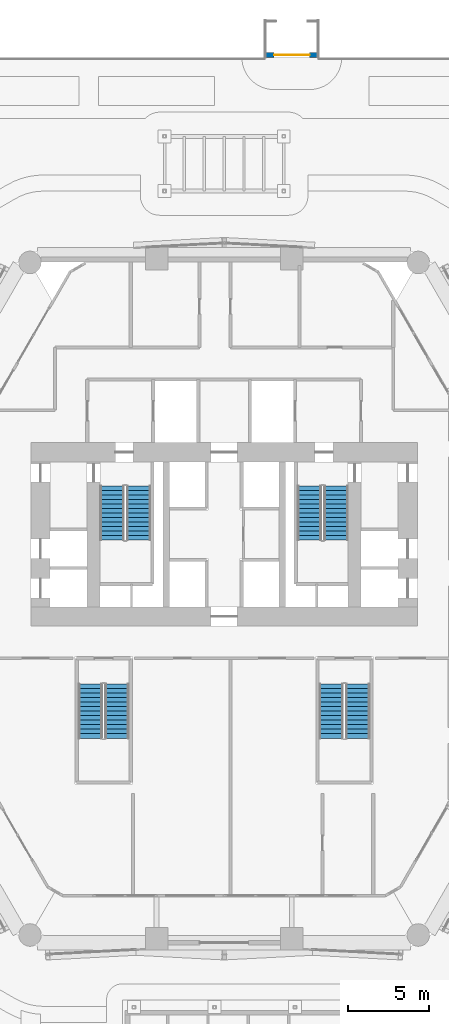
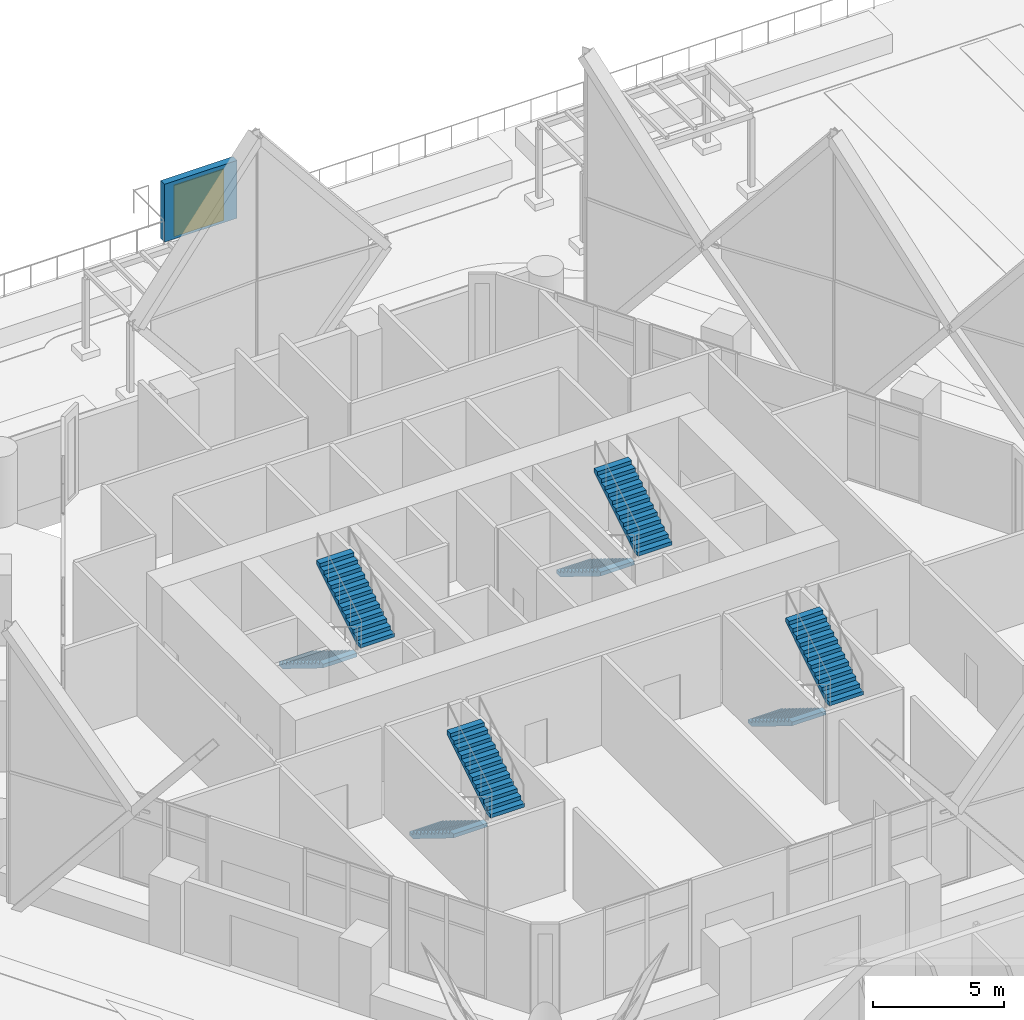
# One storey, part 57 of 71: 8 stair flights, 1 door, 1 wall, 1 opening, 4 elements without a shape of their own.
"""IFC4 building model written with IfcOpenShell, lengths in metres."""

from ifc_helpers import new_model, si_unit, direction, frame, frame_2d, origin, place, context, subcontext, project, spatial, polyline, rectangle, outline, extrude, material, layer, layer_set, type_object, element, fill, aggregate, save


model = new_model("IFC4")

# Units and contexts
model_context = context("Model", 3, precision=1e-05, world=origin(), true_north=direction((0.0, 1.0)))
body_context = subcontext(model_context, "Body", "Model", "MODEL_VIEW")
ifc_project = project(units=[si_unit("LENGTHUNIT", "METRE"), si_unit("AREAUNIT", "SQUARE_METRE"), si_unit("VOLUMEUNIT", "CUBIC_METRE"), si_unit("PLANEANGLEUNIT", "RADIAN"), si_unit("MASSUNIT", "GRAM", prefix="KILO")], contexts=[model_context])

# Site, building, storey
site_placement = place(None, origin())
site = spatial("IfcSite", under=ifc_project, at=site_placement, CompositionType="ELEMENT")
building_placement = place(site_placement, origin())
building = spatial("IfcBuilding", under=site, at=building_placement, Name="Ostrander Bayou Hotel Tower", CompositionType="ELEMENT")
storey_placement = place(building_placement, frame((0.0, 0.0, 10.0)))
storey = spatial("IfcBuildingStorey", under=building, at=storey_placement, Name="L02", CompositionType="ELEMENT", Elevation=10.0)

# Wall, opening, door
ifc_material_1 = material(Name="Reconstituted stone on masonry backing", Category="masonry")
ifc_layer = layer(ifc_material_1, 0.300048828125)
ifc_layer_set = layer_set([ifc_layer], Name="NW1 north stone wall 300 mm")
wall_type = type_object("IfcWallType", Name="NW1 north stone wall 300 mm", PredefinedType="SOLIDWALL", material=ifc_layer_set)
wall_placement = place(storey_placement, frame((5.800048828125, 33.75, 0.0), z_axis=(0.0, 0.0, 1.0), x_axis=(-1.0, 0.0, 0.0)))
wall = element("IfcWall", 1, at=wall_placement, inside=storey, type_object=wall_type, Name="NW1 garden gate wall N", PredefinedType="SOLIDWALL", context=body_context, shape_type="SweptSolid", body=[
    extrude(rectangle(XDim=3.199951171875, YDim=0.300048828125, at=frame_2d((1.60009765625, 0.0))), origin(), (0.0, 0.0, 1.0), 2.699951171875),
])
opening_placement = place(wall_placement, frame((0.5, 0.0, 0.0)))
opening = element("IfcOpeningElement", 2, at=opening_placement, cuts=wall, Name="Opening T02-816", PredefinedType="OPENING", context=body_context, shape_type="SweptSolid", body=[
    extrude(rectangle(XDim=2.199951171875, YDim=2.39990234375, at=frame_2d((1.10009765625, 1.199951171875))), frame((0.0, 0.14990234375, 0.0), z_axis=(0.0, -1.0, 0.0), x_axis=(1.0, 0.0, 0.0)), (0.0, 0.0, 1.0), 0.300048828125),
])
ifc_material_2 = material(Name="Aluminium and clear glass", Category="aluminium")
door_type = type_object("IfcDoorType", Name="GD1 garden gate 2200 mm", OperationType="DOUBLE_DOOR_SINGLE_SWING", PredefinedType="DOOR", material=ifc_material_2)
door_placement = place(opening_placement, origin())
door = element("IfcDoor", 3, at=door_placement, inside=storey, type_object=door_type, Name="GD1 garden gate N", OperationType="DOUBLE_DOOR_SINGLE_SWING", OverallHeight=2.39990234375, OverallWidth=2.199951171875, PredefinedType="DOOR", context=body_context, shape_type="SweptSolid", body=[
    extrude(rectangle(XDim=2.199951171875, YDim=2.39990234375, at=frame_2d((1.10009765625, 1.199951171875))), frame((0.0, 0.02490234375, 0.0), z_axis=(0.0, -1.0, 0.0), x_axis=(1.0, 0.0, 0.0)), (0.0, 0.0, 1.0), 0.050048828125),
])
fill(opening, door)

# Stair, stair flights
ifc_material_3 = material(Name="Concrete f'c 45 MPa", Category="concrete")
stair_type = type_object("IfcStairType", Name="ST1 exit stair 1500 mm f'c 45 MPa", PredefinedType="HALF_TURN_STAIR", material=ifc_material_3)
stair_1_placement = place(storey_placement, origin())
stair_1 = element("IfcStair", 4, at=stair_1_placement, inside=storey, type_object=stair_type, Name="L02 exit stair A", PredefinedType="HALF_TURN_STAIR")
ifc_material_4 = material(Name="Concrete f'c 45 MPa", Category="concrete")
stair_flight_type = type_object("IfcStairFlightType", Name="SF1 stair flight 1500 mm f'c 45 MPa", PredefinedType="STRAIGHT", material=ifc_material_4)
stair_flight_1_placement = place(storey_placement, frame((-6.949951171875, 7.0, 0.0), z_axis=(0.0, 0.0, 1.0), x_axis=(0.0, -1.0, 0.0)))
stair_flight_1 = element("IfcStairFlight", 5, at=stair_flight_1_placement, type_object=stair_flight_type, Name="STA flight 1", NumberOfRisers=13, NumberOfTreads=12, PredefinedType="STRAIGHT", RiserHeight=0.173076923, TreadLength=0.28, context=body_context, shape_type="SweptSolid", body=[
    extrude(outline(polyline([(0.0, 0.0), (0.0, 0.173095703125), (0.280029296875, 0.173095703125), (0.280029296875, 0.34619140625), (0.56005859375, 0.34619140625), (0.56005859375, 0.519287109375), (0.840087890625, 0.519287109375), (0.840087890625, 0.6923828125), (1.1201171875, 0.6923828125), (1.1201171875, 0.865478515625), (1.39990234375, 0.865478515625), (1.39990234375, 1.03857421875), (1.679931640625, 1.03857421875), (1.679931640625, 1.21142578125), (1.9599609375, 1.21142578125), (1.9599609375, 1.384521484375), (2.239990234375, 1.384521484375), (2.239990234375, 1.5576171875), (2.52001953125, 1.5576171875), (2.52001953125, 1.730712890625), (2.800048828125, 1.730712890625), (2.800048828125, 1.90380859375), (3.080078125, 1.90380859375), (3.080078125, 2.076904296875), (3.360107421875, 2.076904296875), (3.360107421875, 2.25), (3.360107421875, 1.900634765625), (0.28515625, 0.0), (0.0, 0.0)])), frame((0.0, 0.75, 0.0), z_axis=(0.0, -1.0, 0.0), x_axis=(1.0, 0.0, 0.0)), (0.0, 0.0, 1.0), 1.5),
])
stair_flight_2_placement = place(storey_placement, frame((-5.300048828125, 3.639892578125, 2.25), z_axis=(0.0, 0.0, 1.0), x_axis=(0.0, 1.0, 0.0)))
stair_flight_2 = element("IfcStairFlight", 6, at=stair_flight_2_placement, type_object=stair_flight_type, Name="STA flight 2", NumberOfRisers=13, NumberOfTreads=12, PredefinedType="STRAIGHT", RiserHeight=0.173076923, TreadLength=0.28, context=body_context, shape_type="SweptSolid", body=[
    extrude(outline(polyline([(0.0, 0.0), (0.0, 0.173095703125), (0.280029296875, 0.173095703125), (0.280029296875, 0.34619140625), (0.56005859375, 0.34619140625), (0.56005859375, 0.519287109375), (0.840087890625, 0.519287109375), (0.840087890625, 0.6923828125), (1.1201171875, 0.6923828125), (1.1201171875, 0.865478515625), (1.39990234375, 0.865478515625), (1.39990234375, 1.03857421875), (1.679931640625, 1.03857421875), (1.679931640625, 1.21142578125), (1.9599609375, 1.21142578125), (1.9599609375, 1.384521484375), (2.239990234375, 1.384521484375), (2.239990234375, 1.5576171875), (2.52001953125, 1.5576171875), (2.52001953125, 1.730712890625), (2.800048828125, 1.730712890625), (2.800048828125, 1.90380859375), (3.080078125, 1.90380859375), (3.080078125, 2.076904296875), (3.360107421875, 2.076904296875), (3.360107421875, 2.25), (3.360107421875, 1.900634765625), (0.28515625, 0.0), (0.0, 0.0)])), frame((0.0, 0.75, 0.0), z_axis=(0.0, -1.0, 0.0), x_axis=(1.0, 0.0, 0.0)), (0.0, 0.0, 1.0), 1.5),
])
aggregate(stair_1, [stair_flight_1, stair_flight_2])

stair_2_placement = place(storey_placement, origin())
stair_2 = element("IfcStair", 7, at=stair_2_placement, inside=storey, type_object=stair_type, Name="L02 exit stair B", PredefinedType="HALF_TURN_STAIR")
stair_flight_3_placement = place(storey_placement, frame((5.300048828125, 7.0, 0.0), z_axis=(0.0, 0.0, 1.0), x_axis=(0.0, -1.0, 0.0)))
stair_flight_3 = element("IfcStairFlight", 8, at=stair_flight_3_placement, type_object=stair_flight_type, Name="STB flight 1", NumberOfRisers=13, NumberOfTreads=12, PredefinedType="STRAIGHT", RiserHeight=0.173076923, TreadLength=0.28, context=body_context, shape_type="SweptSolid", body=[
    extrude(outline(polyline([(0.0, 0.0), (0.0, 0.173095703125), (0.280029296875, 0.173095703125), (0.280029296875, 0.34619140625), (0.56005859375, 0.34619140625), (0.56005859375, 0.519287109375), (0.840087890625, 0.519287109375), (0.840087890625, 0.6923828125), (1.1201171875, 0.6923828125), (1.1201171875, 0.865478515625), (1.39990234375, 0.865478515625), (1.39990234375, 1.03857421875), (1.679931640625, 1.03857421875), (1.679931640625, 1.21142578125), (1.9599609375, 1.21142578125), (1.9599609375, 1.384521484375), (2.239990234375, 1.384521484375), (2.239990234375, 1.5576171875), (2.52001953125, 1.5576171875), (2.52001953125, 1.730712890625), (2.800048828125, 1.730712890625), (2.800048828125, 1.90380859375), (3.080078125, 1.90380859375), (3.080078125, 2.076904296875), (3.360107421875, 2.076904296875), (3.360107421875, 2.25), (3.360107421875, 1.900634765625), (0.28515625, 0.0), (0.0, 0.0)])), frame((0.0, 0.75, 0.0), z_axis=(0.0, -1.0, 0.0), x_axis=(1.0, 0.0, 0.0)), (0.0, 0.0, 1.0), 1.5),
])
stair_flight_4_placement = place(storey_placement, frame((6.949951171875, 3.639892578125, 2.25), z_axis=(0.0, 0.0, 1.0), x_axis=(0.0, 1.0, 0.0)))
stair_flight_4 = element("IfcStairFlight", 9, at=stair_flight_4_placement, type_object=stair_flight_type, Name="STB flight 2", NumberOfRisers=13, NumberOfTreads=12, PredefinedType="STRAIGHT", RiserHeight=0.173076923, TreadLength=0.28, context=body_context, shape_type="SweptSolid", body=[
    extrude(outline(polyline([(0.0, 0.0), (0.0, 0.173095703125), (0.280029296875, 0.173095703125), (0.280029296875, 0.34619140625), (0.56005859375, 0.34619140625), (0.56005859375, 0.519287109375), (0.840087890625, 0.519287109375), (0.840087890625, 0.6923828125), (1.1201171875, 0.6923828125), (1.1201171875, 0.865478515625), (1.39990234375, 0.865478515625), (1.39990234375, 1.03857421875), (1.679931640625, 1.03857421875), (1.679931640625, 1.21142578125), (1.9599609375, 1.21142578125), (1.9599609375, 1.384521484375), (2.239990234375, 1.384521484375), (2.239990234375, 1.5576171875), (2.52001953125, 1.5576171875), (2.52001953125, 1.730712890625), (2.800048828125, 1.730712890625), (2.800048828125, 1.90380859375), (3.080078125, 1.90380859375), (3.080078125, 2.076904296875), (3.360107421875, 2.076904296875), (3.360107421875, 2.25), (3.360107421875, 1.900634765625), (0.28515625, 0.0), (0.0, 0.0)])), frame((0.0, 0.75, 0.0), z_axis=(0.0, -1.0, 0.0), x_axis=(1.0, 0.0, 0.0)), (0.0, 0.0, 1.0), 1.5),
])
aggregate(stair_2, [stair_flight_3, stair_flight_4])

stair_3_placement = place(storey_placement, origin())
stair_3 = element("IfcStair", 10, at=stair_3_placement, inside=storey, type_object=stair_type, Name="L02 exit stair C", PredefinedType="HALF_TURN_STAIR")
stair_flight_5_placement = place(storey_placement, frame((6.64990234375, -5.300048828125, 0.0), z_axis=(0.0, 0.0, 1.0), x_axis=(0.0, -1.0, 0.0)))
stair_flight_5 = element("IfcStairFlight", 11, at=stair_flight_5_placement, type_object=stair_flight_type, Name="STC flight 1", NumberOfRisers=13, NumberOfTreads=12, PredefinedType="STRAIGHT", RiserHeight=0.173076923, TreadLength=0.28, context=body_context, shape_type="SweptSolid", body=[
    extrude(outline(polyline([(0.0, 0.0), (0.0, 0.173095703125), (0.280029296875, 0.173095703125), (0.280029296875, 0.34619140625), (0.56005859375, 0.34619140625), (0.56005859375, 0.519287109375), (0.840087890625, 0.519287109375), (0.840087890625, 0.6923828125), (1.1201171875, 0.6923828125), (1.1201171875, 0.865478515625), (1.39990234375, 0.865478515625), (1.39990234375, 1.03857421875), (1.679931640625, 1.03857421875), (1.679931640625, 1.21142578125), (1.9599609375, 1.21142578125), (1.9599609375, 1.384521484375), (2.239990234375, 1.384521484375), (2.239990234375, 1.5576171875), (2.52001953125, 1.5576171875), (2.52001953125, 1.730712890625), (2.800048828125, 1.730712890625), (2.800048828125, 1.90380859375), (3.080078125, 1.90380859375), (3.080078125, 2.076904296875), (3.360107421875, 2.076904296875), (3.360107421875, 2.25), (3.360107421875, 1.900634765625), (0.28515625, 0.0), (0.0, 0.0)])), frame((0.0, 0.75, 0.0), z_axis=(0.0, -1.0, 0.0), x_axis=(1.0, 0.0, 0.0)), (0.0, 0.0, 1.0), 1.5),
])
stair_flight_6_placement = place(storey_placement, frame((8.300048828125, -8.659912109375, 2.25), z_axis=(0.0, 0.0, 1.0), x_axis=(0.0, 1.0, 0.0)))
stair_flight_6 = element("IfcStairFlight", 12, at=stair_flight_6_placement, type_object=stair_flight_type, Name="STC flight 2", NumberOfRisers=13, NumberOfTreads=12, PredefinedType="STRAIGHT", RiserHeight=0.173076923, TreadLength=0.28, context=body_context, shape_type="SweptSolid", body=[
    extrude(outline(polyline([(0.0, 0.0), (0.0, 0.173095703125), (0.280029296875, 0.173095703125), (0.280029296875, 0.34619140625), (0.56005859375, 0.34619140625), (0.56005859375, 0.519287109375), (0.840087890625, 0.519287109375), (0.840087890625, 0.6923828125), (1.1201171875, 0.6923828125), (1.1201171875, 0.865478515625), (1.39990234375, 0.865478515625), (1.39990234375, 1.03857421875), (1.679931640625, 1.03857421875), (1.679931640625, 1.21142578125), (1.9599609375, 1.21142578125), (1.9599609375, 1.384521484375), (2.239990234375, 1.384521484375), (2.239990234375, 1.5576171875), (2.52001953125, 1.5576171875), (2.52001953125, 1.730712890625), (2.800048828125, 1.730712890625), (2.800048828125, 1.90380859375), (3.080078125, 1.90380859375), (3.080078125, 2.076904296875), (3.360107421875, 2.076904296875), (3.360107421875, 2.25), (3.360107421875, 1.900634765625), (0.28515625, 0.0), (0.0, 0.0)])), frame((0.0, 0.75, 0.0), z_axis=(0.0, -1.0, 0.0), x_axis=(1.0, 0.0, 0.0)), (0.0, 0.0, 1.0), 1.5),
])
aggregate(stair_3, [stair_flight_5, stair_flight_6])

stair_4_placement = place(storey_placement, origin())
stair_4 = element("IfcStair", 13, at=stair_4_placement, inside=storey, type_object=stair_type, Name="L02 exit stair D", PredefinedType="HALF_TURN_STAIR")
stair_flight_7_placement = place(storey_placement, frame((-8.300048828125, -5.300048828125, 0.0), z_axis=(0.0, 0.0, 1.0), x_axis=(0.0, -1.0, 0.0)))
stair_flight_7 = element("IfcStairFlight", 14, at=stair_flight_7_placement, type_object=stair_flight_type, Name="STD flight 1", NumberOfRisers=13, NumberOfTreads=12, PredefinedType="STRAIGHT", RiserHeight=0.173076923, TreadLength=0.28, context=body_context, shape_type="SweptSolid", body=[
    extrude(outline(polyline([(0.0, 0.0), (0.0, 0.173095703125), (0.280029296875, 0.173095703125), (0.280029296875, 0.34619140625), (0.56005859375, 0.34619140625), (0.56005859375, 0.519287109375), (0.840087890625, 0.519287109375), (0.840087890625, 0.6923828125), (1.1201171875, 0.6923828125), (1.1201171875, 0.865478515625), (1.39990234375, 0.865478515625), (1.39990234375, 1.03857421875), (1.679931640625, 1.03857421875), (1.679931640625, 1.21142578125), (1.9599609375, 1.21142578125), (1.9599609375, 1.384521484375), (2.239990234375, 1.384521484375), (2.239990234375, 1.5576171875), (2.52001953125, 1.5576171875), (2.52001953125, 1.730712890625), (2.800048828125, 1.730712890625), (2.800048828125, 1.90380859375), (3.080078125, 1.90380859375), (3.080078125, 2.076904296875), (3.360107421875, 2.076904296875), (3.360107421875, 2.25), (3.360107421875, 1.900634765625), (0.28515625, 0.0), (0.0, 0.0)])), frame((0.0, 0.75, 0.0), z_axis=(0.0, -1.0, 0.0), x_axis=(1.0, 0.0, 0.0)), (0.0, 0.0, 1.0), 1.5),
])
stair_flight_8_placement = place(storey_placement, frame((-6.64990234375, -8.659912109375, 2.25), z_axis=(0.0, 0.0, 1.0), x_axis=(0.0, 1.0, 0.0)))
stair_flight_8 = element("IfcStairFlight", 15, at=stair_flight_8_placement, type_object=stair_flight_type, Name="STD flight 2", NumberOfRisers=13, NumberOfTreads=12, PredefinedType="STRAIGHT", RiserHeight=0.173076923, TreadLength=0.28, context=body_context, shape_type="SweptSolid", body=[
    extrude(outline(polyline([(0.0, 0.0), (0.0, 0.173095703125), (0.280029296875, 0.173095703125), (0.280029296875, 0.34619140625), (0.56005859375, 0.34619140625), (0.56005859375, 0.519287109375), (0.840087890625, 0.519287109375), (0.840087890625, 0.6923828125), (1.1201171875, 0.6923828125), (1.1201171875, 0.865478515625), (1.39990234375, 0.865478515625), (1.39990234375, 1.03857421875), (1.679931640625, 1.03857421875), (1.679931640625, 1.21142578125), (1.9599609375, 1.21142578125), (1.9599609375, 1.384521484375), (2.239990234375, 1.384521484375), (2.239990234375, 1.5576171875), (2.52001953125, 1.5576171875), (2.52001953125, 1.730712890625), (2.800048828125, 1.730712890625), (2.800048828125, 1.90380859375), (3.080078125, 1.90380859375), (3.080078125, 2.076904296875), (3.360107421875, 2.076904296875), (3.360107421875, 2.25), (3.360107421875, 1.900634765625), (0.28515625, 0.0), (0.0, 0.0)])), frame((0.0, 0.75, 0.0), z_axis=(0.0, -1.0, 0.0), x_axis=(1.0, 0.0, 0.0)), (0.0, 0.0, 1.0), 1.5),
])
aggregate(stair_4, [stair_flight_7, stair_flight_8])

save(model, "model.ifc")
